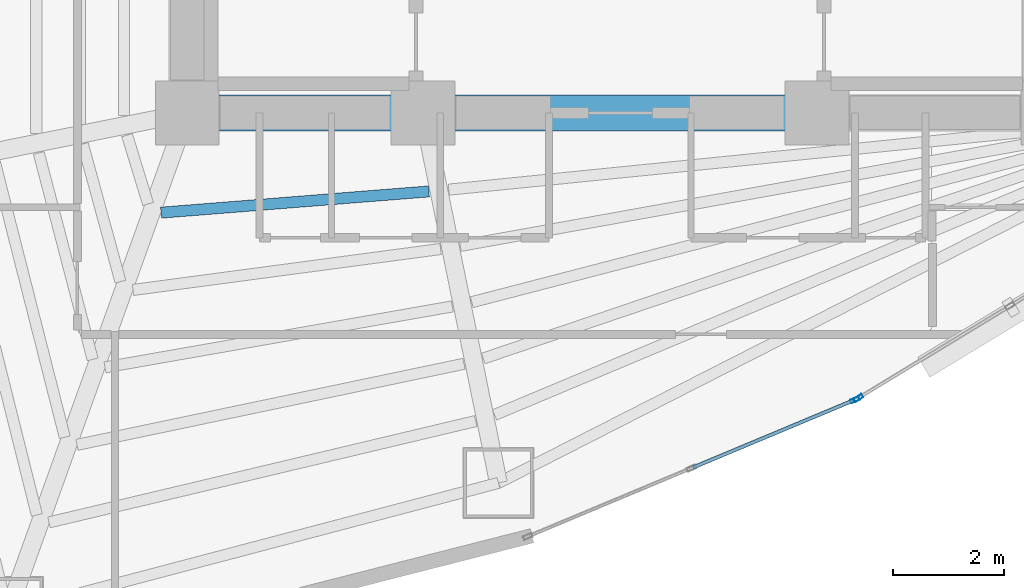
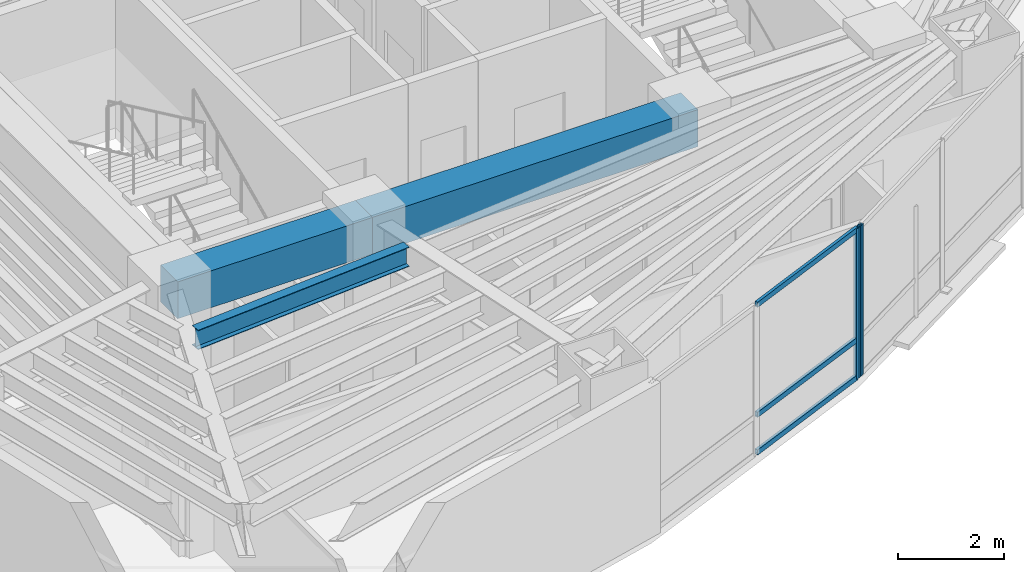
# One storey, part 4 of 16: 5 members, 3 beams, 2 elements without a shape of their own.
"""IFC4 building model written with IfcOpenShell, lengths in metres."""

from ifc_helpers import new_model, si_unit, direction, frame, origin, origin_2d, place, context, subcontext, project, spatial, rectangle, hollow_rectangle, i_section, extrude, material, layer, layer_set, material_profile, profile_set, type_object, element, aggregate, save


model = new_model("IFC4")

# Units and contexts
model_context = context("Model", 3, precision=1e-05, world=origin(), true_north=direction((0.0, 1.0)))
body_context = subcontext(model_context, "Body", "Model", "MODEL_VIEW")
ifc_project = project(units=[si_unit("LENGTHUNIT", "METRE"), si_unit("AREAUNIT", "SQUARE_METRE"), si_unit("VOLUMEUNIT", "CUBIC_METRE"), si_unit("PLANEANGLEUNIT", "RADIAN"), si_unit("MASSUNIT", "GRAM", prefix="KILO")], contexts=[model_context])

# Site, building, storey
site_placement = place(None, origin())
site = spatial("IfcSite", under=ifc_project, at=site_placement, CompositionType="ELEMENT")
building_placement = place(site_placement, origin())
building = spatial("IfcBuilding", under=site, at=building_placement, Name="Menara Vayukalpa", CompositionType="ELEMENT")
storey_placement = place(building_placement, frame((0.0, 0.0, 75.9599609375)))
storey = spatial("IfcBuildingStorey", under=building, at=storey_placement, Name="L18", CompositionType="ELEMENT", Elevation=75.9599609375)

# Beams
ifc_material_1 = material(Name="Concrete C60/75", Category="concrete")
ifc_material_profile_1 = material_profile(ifc_material_1, rectangle(XDim=0.64990234375, YDim=0.85009765625, at=origin_2d()), Name="RC 650x850")
ifc_profile_set_1 = profile_set([ifc_material_profile_1], Name="Concrete C60/75")
beam_type_1 = type_object("IfcBeamType", Name="BM-CB1", PredefinedType="BEAM", material=ifc_profile_set_1)
beam_1_placement = place(storey_placement, frame((17.800048828125, 17.199951171875, 3.044921875), z_axis=(1.0, 0.0, 0.0), x_axis=(0.0, 1.0, 0.0)))
element("IfcBeam", 1, at=beam_1_placement, inside=storey, type_object=beam_type_1, Name="L18 Core Tie Beam CBR1", PredefinedType="BEAM", context=body_context, shape_type="SweptSolid", body=[
    extrude(rectangle(XDim=0.64990234375, YDim=0.85009765625, at=origin_2d()), origin(), (0.0, 0.0, 1.0), 4.25),
])
beam_2_placement = place(storey_placement, frame((22.050048828125, 17.199951171875, 3.044921875), z_axis=(1.0, 0.0, 0.0), x_axis=(0.0, 1.0, 0.0)))
element("IfcBeam", 2, at=beam_2_placement, inside=storey, type_object=beam_type_1, Name="L18 Core Tie Beam CBR2", PredefinedType="BEAM", context=body_context, shape_type="SweptSolid", body=[
    extrude(rectangle(XDim=0.64990234375, YDim=0.85009765625, at=origin_2d()), origin(), (0.0, 0.0, 1.0), 7.099853515625),
])
ifc_material_2 = material(Name="Steel S355", Category="steel")
ifc_material_profile_2 = material_profile(ifc_material_2, i_section(OverallWidth=0.199951171875, OverallDepth=0.449951171875, WebThickness=0.009033203125, FlangeThickness=0.013916015625, at=origin_2d()), Name="WF 450x200x9x14")
ifc_profile_set_2 = profile_set([ifc_material_profile_2], Name="Steel S355")
beam_type_2 = type_object("IfcBeamType", Name="BM-SJ1", PredefinedType="JOIST", material=ifc_profile_set_2)
beam_3_placement = place(storey_placement, frame((17.32861328125, 15.40185546875, 3.2451171875), z_axis=(0.996870502758, 0.079051886326, 0.0), x_axis=(-0.079051886326, 0.996870502758, 0.0)))
element("IfcBeam", 3, at=beam_3_placement, inside=storey, type_object=beam_type_2, Name="L18 Secondary Floor Joist SJ07-1", PredefinedType="JOIST", context=body_context, shape_type="SweptSolid", body=[
    extrude(i_section(OverallWidth=0.199951171875, OverallDepth=0.449951171875, WebThickness=0.009033203125, FlangeThickness=0.013916015625, at=origin_2d()), origin(), (0.0, 0.0, 1.0), 4.842529296875),
])

# Curtain wall, member
ifc_material_3 = material(Name="Anodised Terracotta Aluminium Alloy 6063-T6", Category="masonry")
ifc_layer = layer(ifc_material_3, 0.1650390625)
ifc_layer_set = layer_set([ifc_layer], Name="Anodised Terracotta Aluminium Alloy 6063-T6")
curtain_wall_type = type_object("IfcCurtainWallType", Name="CW-CW2", PredefinedType="USERDEFINED", material=ifc_layer_set)
curtain_wall_1_placement = place(storey_placement, origin())
curtain_wall_1 = element("IfcCurtainWall", 4, at=curtain_wall_1_placement, inside=storey, type_object=curtain_wall_type, Name="L18 Low Rise Terracotta Ribbon Curtain Wall CW2 16", ObjectType="UNITISED", PredefinedType="USERDEFINED")
ifc_material_4 = material(Name="Anodised Terracotta Aluminium Alloy 6063-T6", Category="masonry")
ifc_material_profile_3 = material_profile(ifc_material_4, hollow_rectangle(XDim=0.070068359375, YDim=0.1650390625, WallThickness=0.00390625, at=origin_2d()), Name="ALU 70x165x4")
ifc_profile_set_3 = profile_set([ifc_material_profile_3], Name="Anodised Terracotta Aluminium Alloy 6063-T6")
member_type_1 = type_object("IfcMemberType", Name="CWM-CW2", PredefinedType="MULLION", material=ifc_profile_set_3)
member_1_placement = place(storey_placement, frame((29.83349609375, 12.03125, 0.0), z_axis=(0.0, 0.0, 1.0), x_axis=(-0.38589358437, 0.922543300632, 0.0)))
member_1 = element("IfcMember", 5, at=member_1_placement, type_object=member_type_1, Name="CW2 mullion 3", PredefinedType="MULLION", context=body_context, shape_type="SweptSolid", body=[
    extrude(hollow_rectangle(XDim=0.070068359375, YDim=0.1650390625, WallThickness=0.00390625, at=origin_2d()), origin(), (0.0, 0.0, 1.0), 3.469970703125),
])

curtain_wall_2_placement = place(storey_placement, origin())
curtain_wall_2 = element("IfcCurtainWall", 6, at=curtain_wall_2_placement, inside=storey, type_object=curtain_wall_type, Name="L18 Low Rise Terracotta Ribbon Curtain Wall CW2 17", ObjectType="UNITISED", PredefinedType="USERDEFINED")
member_2_placement = place(storey_placement, frame((29.895751953125, 12.06298828125, 0.0), z_axis=(0.0, 0.0, 1.0), x_axis=(-0.519182959112, 0.854663123674, 0.0)))
member_2 = element("IfcMember", 7, at=member_2_placement, type_object=member_type_1, Name="CW2 mullion 1", PredefinedType="MULLION", context=body_context, shape_type="SweptSolid", body=[
    extrude(hollow_rectangle(XDim=0.070068359375, YDim=0.1650390625, WallThickness=0.00390625, at=origin_2d()), origin(), (0.0, 0.0, 1.0), 3.469970703125),
])
aggregate(curtain_wall_2, [member_2])

# Member
ifc_material_5 = material(Name="Anodised Terracotta Aluminium Alloy 6063-T6", Category="masonry")
ifc_material_profile_4 = material_profile(ifc_material_5, hollow_rectangle(XDim=0.06494140625, YDim=0.1201171875, WallThickness=0.00341796875, at=origin_2d()), Name="ALU 65x120x3.5")
ifc_profile_set_4 = profile_set([ifc_material_profile_4], Name="Anodised Terracotta Aluminium Alloy 6063-T6")
member_type_2 = type_object("IfcMemberType", Name="CWT-CW2", PredefinedType="USERDEFINED", material=ifc_profile_set_4)
member_3_placement = place(storey_placement, frame((26.9189453125, 10.81201171875, 0.032470703125), z_axis=(0.922525759021, 0.385935517856, 0.0), x_axis=(-0.385935517856, 0.922525759021, 0.0)))
member_3 = element("IfcMember", 8, at=member_3_placement, type_object=member_type_2, Name="CW2 transom 2.1", ObjectType="TRANSOM", PredefinedType="USERDEFINED", context=body_context, shape_type="SweptSolid", body=[
    extrude(hollow_rectangle(XDim=0.06494140625, YDim=0.1201171875, WallThickness=0.00341796875, at=origin_2d()), origin(), (0.0, 0.0, 1.0), 3.124267578125),
])

member_4_placement = place(storey_placement, frame((26.9189453125, 10.81201171875, 0.900146484375), z_axis=(0.922525759021, 0.385935517856, 0.0), x_axis=(-0.385935517856, 0.922525759021, 0.0)))
member_4 = element("IfcMember", 9, at=member_4_placement, type_object=member_type_2, Name="CW2 transom 2.2", ObjectType="TRANSOM", PredefinedType="USERDEFINED", context=body_context, shape_type="SweptSolid", body=[
    extrude(hollow_rectangle(XDim=0.06494140625, YDim=0.1201171875, WallThickness=0.00341796875, at=origin_2d()), origin(), (0.0, 0.0, 1.0), 3.124267578125),
])

member_5_placement = place(storey_placement, frame((26.9189453125, 10.81201171875, 3.4375), z_axis=(0.922525759021, 0.385935517856, 0.0), x_axis=(-0.385935517856, 0.922525759021, 0.0)))
member_5 = element("IfcMember", 10, at=member_5_placement, type_object=member_type_2, Name="CW2 transom 2.3", ObjectType="TRANSOM", PredefinedType="USERDEFINED", context=body_context, shape_type="SweptSolid", body=[
    extrude(hollow_rectangle(XDim=0.06494140625, YDim=0.1201171875, WallThickness=0.00341796875, at=origin_2d()), origin(), (0.0, 0.0, 1.0), 3.124267578125),
])

aggregate(curtain_wall_1, [member_1, member_3, member_4, member_5])

save(model, "model.ifc")
